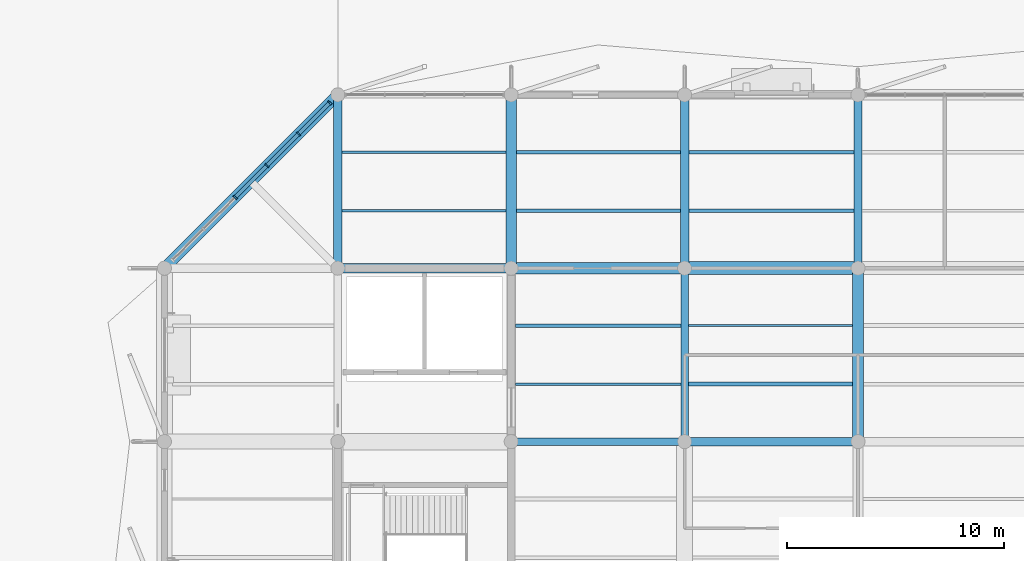
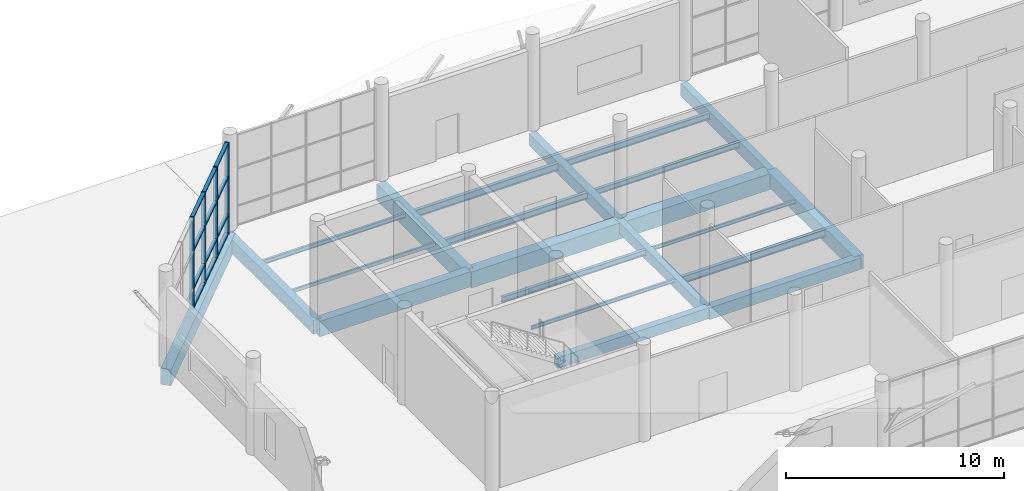
# One storey, part 50 of 123: 22 beams, 16 members, 1 element without a shape of its own.
"""IFC4 building model written with IfcOpenShell, lengths in metres."""

from ifc_helpers import new_model, si_unit, direction, frame, origin, origin_2d, place, context, subcontext, project, spatial, rectangle, hollow_rectangle, i_section, extrude, material, material_profile, profile_set, type_object, element, aggregate, save


model = new_model("IFC4")

# Units and contexts
model_context = context("Model", 3, precision=1e-05, world=origin(), true_north=direction((0.0, 1.0)))
body_context = subcontext(model_context, "Body", "Model", "MODEL_VIEW")
ifc_project = project(units=[si_unit("LENGTHUNIT", "METRE"), si_unit("AREAUNIT", "SQUARE_METRE"), si_unit("VOLUMEUNIT", "CUBIC_METRE"), si_unit("PLANEANGLEUNIT", "RADIAN"), si_unit("MASSUNIT", "GRAM", prefix="KILO")], contexts=[model_context])

# Site, building, storey
site_placement = place(None, origin())
site = spatial("IfcSite", under=ifc_project, at=site_placement, CompositionType="ELEMENT")
building_placement = place(site_placement, origin())
building = spatial("IfcBuilding", under=site, at=building_placement, Name="Tenunan Teduh Sports Hall", CompositionType="ELEMENT")
storey_placement = place(building_placement, origin())
storey = spatial("IfcBuildingStorey", under=building, at=storey_placement, Name="L00", CompositionType="ELEMENT", Elevation=0.0)

# Beams
ifc_material_1 = material(Name="Concrete C40/50", Category="concrete")
ifc_material_profile_1 = material_profile(ifc_material_1, rectangle(XDim=0.35009765625, YDim=0.60009765625, at=origin_2d()), Name="RCB 350x600")
ifc_profile_set_1 = profile_set([ifc_material_profile_1], Name="Concrete C40/50")
beam_type_1 = type_object("IfcBeamType", Name="BM-RC-350x600", PredefinedType="BEAM", material=ifc_profile_set_1)
for number, where, z_axis, x_axis, name in (
    (1, (114.0, 102.0, -0.580078125), (1.0, 0.0, 0.0), (0.0, 1.0, 0.0), "BM-B-04-L00-0727"),
    (2, (122.0, 102.0, -0.580078125), (0.0, 1.0, 0.0), (-1.0, 0.0, 0.0), "BM-B-04-L00-0856"),
):
    element("IfcBeam", number, at=place(storey_placement, frame(where, z_axis=z_axis, x_axis=x_axis)), inside=storey, type_object=beam_type_1, Name=name, PredefinedType="BEAM", context=body_context, shape_type="SweptSolid", body=[
        extrude(rectangle(XDim=0.35009765625, YDim=0.60009765625, at=origin_2d()), origin(), (0.0, 0.0, 1.0), 8.0),
    ])
ifc_material_2 = material(Name="Concrete C40/50", Category="concrete")
ifc_material_profile_2 = material_profile(ifc_material_2, rectangle(XDim=0.39990234375, YDim=0.64990234375, at=origin_2d()), Name="RCB 400x650")
ifc_profile_set_2 = profile_set([ifc_material_profile_2], Name="Concrete C40/50")
beam_type_2 = type_object("IfcBeamType", Name="BM-RC-400x650", PredefinedType="BEAM", material=ifc_profile_set_2)
for number, where, z_axis, x_axis, name in (
    (3, (122.0, 102.0, -0.60498046875), (1.0, 0.0, 0.0), (0.0, 1.0, 0.0), "BM-B-07-L00-0728"),
    (4, (122.0, 110.0, -0.60498046875), (0.0, 1.0, 0.0), (-1.0, 0.0, 0.0), "BM-B-07-L00-0857"),
):
    element("IfcBeam", number, at=place(storey_placement, frame(where, z_axis=z_axis, x_axis=x_axis)), inside=storey, type_object=beam_type_2, Name=name, PredefinedType="BEAM", context=body_context, shape_type="SweptSolid", body=[
        extrude(rectangle(XDim=0.39990234375, YDim=0.64990234375, at=origin_2d()), origin(), (0.0, 0.0, 1.0), 8.0),
    ])
ifc_material_3 = material(Name="Concrete C40/50", Category="concrete")
ifc_material_profile_3 = material_profile(ifc_material_3, rectangle(XDim=0.449951171875, YDim=0.85009765625, at=origin_2d()), Name="RCB 450x850")
ifc_profile_set_3 = profile_set([ifc_material_profile_3], Name="Concrete C40/50")
beam_type_3 = type_object("IfcBeamType", Name="BM-RC-450x850", PredefinedType="BEAM", material=ifc_profile_set_3)
beam_1_placement = place(storey_placement, frame((106.0, 110.0, -0.705078125), z_axis=(1.0, 0.0, 0.0), x_axis=(0.0, 1.0, 0.0)))
element("IfcBeam", 5, at=beam_1_placement, inside=storey, type_object=beam_type_3, Name="BM-B-13-L00-0743", PredefinedType="BEAM", context=body_context, shape_type="SweptSolid", body=[
    extrude(rectangle(XDim=0.449951171875, YDim=0.85009765625, at=origin_2d()), origin(), (0.0, 0.0, 1.0), 8.0),
])
ifc_material_4 = material(Name="Concrete C40/50", Category="concrete")
ifc_material_profile_4 = material_profile(ifc_material_4, rectangle(XDim=0.5, YDim=0.800048828125, at=origin_2d()), Name="RCB 500x800")
ifc_profile_set_4 = profile_set([ifc_material_profile_4], Name="Concrete C40/50")
beam_type_4 = type_object("IfcBeamType", Name="BM-RC-500x800", PredefinedType="BEAM", material=ifc_profile_set_4)
beam_2_placement = place(storey_placement, frame((130.0, 102.0, -0.679931640625), z_axis=(0.0, 1.0, 0.0), x_axis=(-1.0, 0.0, 0.0)))
element("IfcBeam", 6, at=beam_2_placement, inside=storey, type_object=beam_type_4, Name="BM-B-14-L00-0861", PredefinedType="BEAM", context=body_context, shape_type="SweptSolid", body=[
    extrude(rectangle(XDim=0.5, YDim=0.800048828125, at=origin_2d()), origin(), (0.0, 0.0, 1.0), 8.0),
])
ifc_material_5 = material(Name="Concrete C40/50", Category="concrete")
ifc_material_profile_5 = material_profile(ifc_material_5, rectangle(XDim=0.5, YDim=0.89990234375, at=origin_2d()), Name="RCB 500x900")
ifc_profile_set_5 = profile_set([ifc_material_profile_5], Name="Concrete C40/50")
beam_type_5 = type_object("IfcBeamType", Name="BM-RC-500x900", PredefinedType="BEAM", material=ifc_profile_set_5)
beam_3_placement = place(storey_placement, frame((98.0, 110.0, -0.7099609375), z_axis=(0.707106781187, 0.707106781187, 0.0), x_axis=(-0.707106781187, 0.707106781187, 0.0)))
element("IfcBeam", 7, at=beam_3_placement, inside=storey, type_object=beam_type_5, Name="BM-B-15-L00-0596", PredefinedType="BEAM", context=body_context, shape_type="SweptSolid", body=[
    extrude(rectangle(XDim=0.5, YDim=0.89990234375, at=origin_2d()), origin(), (0.0, 0.0, 1.0), 11.313720703125),
])
beam_4_placement = place(storey_placement, frame((114.0, 110.0, -0.72998046875), z_axis=(0.0, 1.0, 0.0), x_axis=(-1.0, 0.0, 0.0)))
element("IfcBeam", 8, at=beam_4_placement, inside=storey, type_object=beam_type_5, Name="BM-B-15-L00-0845", PredefinedType="BEAM", context=body_context, shape_type="SweptSolid", body=[
    extrude(rectangle(XDim=0.5, YDim=0.89990234375, at=origin_2d()), origin(), (0.0, 0.0, 1.0), 8.0),
])
ifc_material_6 = material(Name="Concrete C40/50", Category="concrete")
ifc_material_profile_6 = material_profile(ifc_material_6, rectangle(XDim=0.550048828125, YDim=0.89990234375, at=origin_2d()), Name="RCB 550x900")
ifc_profile_set_6 = profile_set([ifc_material_profile_6], Name="Concrete C40/50")
beam_type_6 = type_object("IfcBeamType", Name="BM-RC-550x900", PredefinedType="BEAM", material=ifc_profile_set_6)
beam_5_placement = place(storey_placement, frame((114.0, 110.0, -0.72998046875), z_axis=(1.0, 0.0, 0.0), x_axis=(0.0, 1.0, 0.0)))
element("IfcBeam", 9, at=beam_5_placement, inside=storey, type_object=beam_type_6, Name="BM-B-16-L00-0744", PredefinedType="BEAM", context=body_context, shape_type="SweptSolid", body=[
    extrude(rectangle(XDim=0.550048828125, YDim=0.89990234375, at=origin_2d()), origin(), (0.0, 0.0, 1.0), 8.0),
])
ifc_material_7 = material(Name="Concrete C40/50", Category="concrete")
ifc_material_profile_7 = material_profile(ifc_material_7, rectangle(XDim=0.60009765625, YDim=0.89990234375, at=origin_2d()), Name="RCB 600x900")
ifc_profile_set_7 = profile_set([ifc_material_profile_7], Name="Concrete C40/50")
beam_type_7 = type_object("IfcBeamType", Name="BM-RC-600x900", PredefinedType="BEAM", material=ifc_profile_set_7)
beam_6_placement = place(storey_placement, frame((122.0, 110.0, -0.72998046875), z_axis=(1.0, 0.0, 0.0), x_axis=(0.0, 1.0, 0.0)))
element("IfcBeam", 10, at=beam_6_placement, inside=storey, type_object=beam_type_7, Name="BM-B-17-L00-0745", PredefinedType="BEAM", context=body_context, shape_type="SweptSolid", body=[
    extrude(rectangle(XDim=0.60009765625, YDim=0.89990234375, at=origin_2d()), origin(), (0.0, 0.0, 1.0), 8.0),
])
ifc_material_8 = material(Name="Concrete C40/50", Category="concrete")
ifc_material_profile_8 = material_profile(ifc_material_8, rectangle(XDim=0.35009765625, YDim=0.719970703125, at=origin_2d()), Name="TB 350x720")
ifc_profile_set_8 = profile_set([ifc_material_profile_8], Name="Concrete C40/50")
beam_type_8 = type_object("IfcBeamType", Name="BM-TB-350x720", PredefinedType="T_BEAM", material=ifc_profile_set_8)
beam_7_placement = place(storey_placement, frame((130.0, 110.0, -0.639892578125), z_axis=(0.0, 1.0, 0.0), x_axis=(-1.0, 0.0, 0.0)))
element("IfcBeam", 11, at=beam_7_placement, inside=storey, type_object=beam_type_8, Name="BM-TB-01-L00-0862", PredefinedType="T_BEAM", context=body_context, shape_type="SweptSolid", body=[
    extrude(rectangle(XDim=0.35009765625, YDim=0.719970703125, at=origin_2d()), origin(), (0.0, 0.0, 1.0), 8.0),
])
ifc_material_9 = material(Name="Concrete C40/50", Category="concrete")
ifc_material_profile_9 = material_profile(ifc_material_9, rectangle(XDim=0.39990234375, YDim=0.780029296875, at=origin_2d()), Name="TB 400x780")
ifc_profile_set_9 = profile_set([ifc_material_profile_9], Name="Concrete C40/50")
beam_type_9 = type_object("IfcBeamType", Name="BM-TB-400x780", PredefinedType="T_BEAM", material=ifc_profile_set_9)
beam_8_placement = place(storey_placement, frame((106.0, 110.0, -0.669921875), z_axis=(0.0, 1.0, 0.0), x_axis=(-1.0, 0.0, 0.0)))
element("IfcBeam", 12, at=beam_8_placement, inside=storey, type_object=beam_type_9, Name="BM-TB-02-L00-0841", PredefinedType="T_BEAM", context=body_context, shape_type="SweptSolid", body=[
    extrude(rectangle(XDim=0.39990234375, YDim=0.780029296875, at=origin_2d()), origin(), (0.0, 0.0, 1.0), 8.0),
])

# Curtain wall, members
ifc_material_10 = material(Name="Anodised aluminium", Category="aluminium")
curtain_wall_type = type_object("IfcCurtainWallType", Name="CW-UNIT-1", PredefinedType="NOTDEFINED", material=ifc_material_10)
curtain_wall_placement = place(storey_placement, origin())
curtain_wall = element("IfcCurtainWall", 13, at=curtain_wall_placement, inside=storey, type_object=curtain_wall_type, Name="CW-CWM-220-L00-241", PredefinedType="NOTDEFINED")
ifc_material_11 = material(Name="Anodised aluminium", Category="aluminium")
ifc_material_profile_10 = material_profile(ifc_material_11, rectangle(XDim=0.074951171875, YDim=0.219970703125, at=origin_2d()), Name="CWM 75x220")
ifc_profile_set_10 = profile_set([ifc_material_profile_10], Name="Anodised aluminium")
member_type_1 = type_object("IfcMemberType", Name="CWM-220", PredefinedType="MULLION", material=ifc_profile_set_10)
member_1_placement = place(storey_placement, frame((101.268310546875, 113.268310546875, 0.0), z_axis=(0.0, 0.0, 1.0), x_axis=(0.707106781187, 0.707106781187, 0.0)))
member_1 = element("IfcMember", 14, at=member_1_placement, type_object=member_type_1, Name="CW-01 mullion 3", PredefinedType="MULLION", context=body_context, shape_type="SweptSolid", body=[
    extrude(rectangle(XDim=0.074951171875, YDim=0.219970703125, at=origin_2d()), origin(), (0.0, 0.0, 1.0), 5.1201171875),
])
member_2_placement = place(storey_placement, frame((102.731689453125, 114.731689453125, 0.0), z_axis=(0.0, 0.0, 1.0), x_axis=(0.707106781187, 0.707106781187, 0.0)))
member_2 = element("IfcMember", 15, at=member_2_placement, type_object=member_type_1, Name="CW-01 mullion 4", PredefinedType="MULLION", context=body_context, shape_type="SweptSolid", body=[
    extrude(rectangle(XDim=0.074951171875, YDim=0.219970703125, at=origin_2d()), origin(), (0.0, 0.0, 1.0), 5.1201171875),
])
member_3_placement = place(storey_placement, frame((104.1953125, 116.1953125, 0.0), z_axis=(0.0, 0.0, 1.0), x_axis=(0.707106781187, 0.707106781187, 0.0)))
member_3 = element("IfcMember", 16, at=member_3_placement, type_object=member_type_1, Name="CW-01 mullion 5", PredefinedType="MULLION", context=body_context, shape_type="SweptSolid", body=[
    extrude(rectangle(XDim=0.074951171875, YDim=0.219970703125, at=origin_2d()), origin(), (0.0, 0.0, 1.0), 5.1201171875),
])
member_4_placement = place(storey_placement, frame((105.632080078125, 117.632080078125, 0.0), z_axis=(0.0, 0.0, 1.0), x_axis=(0.707106781187, 0.707106781187, 0.0)))
member_4 = element("IfcMember", 17, at=member_4_placement, type_object=member_type_1, Name="CW-01 mullion 6", PredefinedType="MULLION", context=body_context, shape_type="SweptSolid", body=[
    extrude(rectangle(XDim=0.074951171875, YDim=0.219970703125, at=origin_2d()), origin(), (0.0, 0.0, 1.0), 5.1201171875),
])
ifc_material_12 = material(Name="Anodised aluminium", Category="aluminium")
ifc_material_profile_11 = material_profile(ifc_material_12, rectangle(XDim=0.074951171875, YDim=0.179931640625, at=origin_2d()), Name="CWT 75x180")
ifc_profile_set_11 = profile_set([ifc_material_profile_11], Name="Anodised aluminium")
member_type_2 = type_object("IfcMemberType", Name="CWT-180", PredefinedType="USERDEFINED", material=ifc_profile_set_11)
member_5_placement = place(storey_placement, frame((101.294677734375, 113.294677734375, 0.03759765625), z_axis=(0.707106781187, 0.707106781187, 0.0), x_axis=(0.0, 0.0, 1.0)))
member_5 = element("IfcMember", 18, at=member_5_placement, type_object=member_type_2, Name="CW-01 transom 3.1", ObjectType="TRANSOM", PredefinedType="USERDEFINED", context=body_context, shape_type="SweptSolid", body=[
    extrude(rectangle(XDim=0.074951171875, YDim=0.179931640625, at=origin_2d()), origin(), (0.0, 0.0, 1.0), 1.994873046875),
])
member_6_placement = place(storey_placement, frame((101.294677734375, 113.294677734375, 1.10009765625), z_axis=(0.707106781187, 0.707106781187, 0.0), x_axis=(0.0, 0.0, 1.0)))
member_6 = element("IfcMember", 19, at=member_6_placement, type_object=member_type_2, Name="CW-01 transom 3.2", ObjectType="TRANSOM", PredefinedType="USERDEFINED", context=body_context, shape_type="SweptSolid", body=[
    extrude(rectangle(XDim=0.074951171875, YDim=0.179931640625, at=origin_2d()), origin(), (0.0, 0.0, 1.0), 1.994873046875),
])
member_7_placement = place(storey_placement, frame((101.294677734375, 113.294677734375, 3.199951171875), z_axis=(0.707106781187, 0.707106781187, 0.0), x_axis=(0.0, 0.0, 1.0)))
member_7 = element("IfcMember", 20, at=member_7_placement, type_object=member_type_2, Name="CW-01 transom 3.3", ObjectType="TRANSOM", PredefinedType="USERDEFINED", context=body_context, shape_type="SweptSolid", body=[
    extrude(rectangle(XDim=0.074951171875, YDim=0.179931640625, at=origin_2d()), origin(), (0.0, 0.0, 1.0), 1.994873046875),
])
member_8_placement = place(storey_placement, frame((101.294677734375, 113.294677734375, 5.08251953125), z_axis=(0.707106781187, 0.707106781187, 0.0), x_axis=(0.0, 0.0, 1.0)))
member_8 = element("IfcMember", 21, at=member_8_placement, type_object=member_type_2, Name="CW-01 transom 3.4", ObjectType="TRANSOM", PredefinedType="USERDEFINED", context=body_context, shape_type="SweptSolid", body=[
    extrude(rectangle(XDim=0.074951171875, YDim=0.179931640625, at=origin_2d()), origin(), (0.0, 0.0, 1.0), 1.994873046875),
])
member_9_placement = place(storey_placement, frame((102.75830078125, 114.75830078125, 0.03759765625), z_axis=(0.707106781187, 0.707106781187, 0.0), x_axis=(0.0, 0.0, 1.0)))
member_9 = element("IfcMember", 22, at=member_9_placement, type_object=member_type_2, Name="CW-01 transom 4.1", ObjectType="TRANSOM", PredefinedType="USERDEFINED", context=body_context, shape_type="SweptSolid", body=[
    extrude(rectangle(XDim=0.074951171875, YDim=0.179931640625, at=origin_2d()), origin(), (0.0, 0.0, 1.0), 1.99462890625),
])
member_10_placement = place(storey_placement, frame((102.75830078125, 114.75830078125, 1.10009765625), z_axis=(0.707106781187, 0.707106781187, 0.0), x_axis=(0.0, 0.0, 1.0)))
member_10 = element("IfcMember", 23, at=member_10_placement, type_object=member_type_2, Name="CW-01 transom 4.2", ObjectType="TRANSOM", PredefinedType="USERDEFINED", context=body_context, shape_type="SweptSolid", body=[
    extrude(rectangle(XDim=0.074951171875, YDim=0.179931640625, at=origin_2d()), origin(), (0.0, 0.0, 1.0), 1.99462890625),
])
member_11_placement = place(storey_placement, frame((102.75830078125, 114.75830078125, 3.199951171875), z_axis=(0.707106781187, 0.707106781187, 0.0), x_axis=(0.0, 0.0, 1.0)))
member_11 = element("IfcMember", 24, at=member_11_placement, type_object=member_type_2, Name="CW-01 transom 4.3", ObjectType="TRANSOM", PredefinedType="USERDEFINED", context=body_context, shape_type="SweptSolid", body=[
    extrude(rectangle(XDim=0.074951171875, YDim=0.179931640625, at=origin_2d()), origin(), (0.0, 0.0, 1.0), 1.99462890625),
])
member_12_placement = place(storey_placement, frame((102.75830078125, 114.75830078125, 5.08251953125), z_axis=(0.707106781187, 0.707106781187, 0.0), x_axis=(0.0, 0.0, 1.0)))
member_12 = element("IfcMember", 25, at=member_12_placement, type_object=member_type_2, Name="CW-01 transom 4.4", ObjectType="TRANSOM", PredefinedType="USERDEFINED", context=body_context, shape_type="SweptSolid", body=[
    extrude(rectangle(XDim=0.074951171875, YDim=0.179931640625, at=origin_2d()), origin(), (0.0, 0.0, 1.0), 1.99462890625),
])
member_13_placement = place(storey_placement, frame((104.2216796875, 116.2216796875, 0.03759765625), z_axis=(0.707106781187, 0.707106781187, 0.0), x_axis=(0.0, 0.0, 1.0)))
member_13 = element("IfcMember", 26, at=member_13_placement, type_object=member_type_2, Name="CW-01 transom 5.1", ObjectType="TRANSOM", PredefinedType="USERDEFINED", context=body_context, shape_type="SweptSolid", body=[
    extrude(rectangle(XDim=0.074951171875, YDim=0.179931640625, at=origin_2d()), origin(), (0.0, 0.0, 1.0), 1.957275390625),
])
member_14_placement = place(storey_placement, frame((104.2216796875, 116.2216796875, 1.10009765625), z_axis=(0.707106781187, 0.707106781187, 0.0), x_axis=(0.0, 0.0, 1.0)))
member_14 = element("IfcMember", 27, at=member_14_placement, type_object=member_type_2, Name="CW-01 transom 5.2", ObjectType="TRANSOM", PredefinedType="USERDEFINED", context=body_context, shape_type="SweptSolid", body=[
    extrude(rectangle(XDim=0.074951171875, YDim=0.179931640625, at=origin_2d()), origin(), (0.0, 0.0, 1.0), 1.957275390625),
])
member_15_placement = place(storey_placement, frame((104.2216796875, 116.2216796875, 3.199951171875), z_axis=(0.707106781187, 0.707106781187, 0.0), x_axis=(0.0, 0.0, 1.0)))
member_15 = element("IfcMember", 28, at=member_15_placement, type_object=member_type_2, Name="CW-01 transom 5.3", ObjectType="TRANSOM", PredefinedType="USERDEFINED", context=body_context, shape_type="SweptSolid", body=[
    extrude(rectangle(XDim=0.074951171875, YDim=0.179931640625, at=origin_2d()), origin(), (0.0, 0.0, 1.0), 1.957275390625),
])
member_16_placement = place(storey_placement, frame((104.2216796875, 116.2216796875, 5.08251953125), z_axis=(0.707106781187, 0.707106781187, 0.0), x_axis=(0.0, 0.0, 1.0)))
member_16 = element("IfcMember", 29, at=member_16_placement, type_object=member_type_2, Name="CW-01 transom 5.4", ObjectType="TRANSOM", PredefinedType="USERDEFINED", context=body_context, shape_type="SweptSolid", body=[
    extrude(rectangle(XDim=0.074951171875, YDim=0.179931640625, at=origin_2d()), origin(), (0.0, 0.0, 1.0), 1.957275390625),
])
aggregate(curtain_wall, [member_1, member_2, member_3, member_4, member_5, member_6, member_7, member_8, member_9, member_10, member_11, member_12, member_13, member_14, member_15, member_16])

# Beams
ifc_material_13 = material(Name="Steel S355", Category="steel")
ifc_material_profile_12 = material_profile(ifc_material_13, i_section(OverallWidth=0.10009765625, OverallDepth=0.199951171875, WebThickness=0.005615234375, FlangeThickness=0.008544921875, FilletRadius=0.011962890625, at=origin_2d()), Name="IPE 200")
ifc_profile_set_12 = profile_set([ifc_material_profile_12], Name="Steel S355")
beam_type_10 = type_object("IfcBeamType", Name="JST-IPE200", PredefinedType="JOIST", material=ifc_profile_set_12)
beam_9_placement = place(storey_placement, frame((114.199951171875, 104.64990234375, -0.3798828125), z_axis=(1.0, 0.0, 0.0), x_axis=(0.0, 1.0, 0.0)))
element("IfcBeam", 30, at=beam_9_placement, inside=storey, type_object=beam_type_10, Name="BM-J-01-L00-0996", PredefinedType="JOIST", context=body_context, shape_type="SweptSolid", body=[
    extrude(i_section(OverallWidth=0.10009765625, OverallDepth=0.199951171875, WebThickness=0.005615234375, FlangeThickness=0.008544921875, FilletRadius=0.011962890625, at=origin_2d()), origin(), (0.0, 0.0, 1.0), 7.625),
])
beam_10_placement = place(storey_placement, frame((122.175048828125, 107.35009765625, -0.3798828125), z_axis=(1.0, 0.0, 0.0), x_axis=(0.0, 1.0, 0.0)))
element("IfcBeam", 31, at=beam_10_placement, inside=storey, type_object=beam_type_10, Name="BM-J-01-L00-1007", PredefinedType="JOIST", context=body_context, shape_type="SweptSolid", body=[
    extrude(i_section(OverallWidth=0.10009765625, OverallDepth=0.199951171875, WebThickness=0.005615234375, FlangeThickness=0.008544921875, FilletRadius=0.011962890625, at=origin_2d()), origin(), (0.0, 0.0, 1.0), 7.574951171875),
])
ifc_material_14 = material(Name="Steel S355", Category="steel")
ifc_material_profile_13 = material_profile(ifc_material_14, i_section(OverallWidth=0.1201171875, OverallDepth=0.239990234375, WebThickness=0.006103515625, FlangeThickness=0.009765625, FilletRadius=0.014892578125, at=origin_2d()), Name="IPE 240")
ifc_profile_set_13 = profile_set([ifc_material_profile_13], Name="Steel S355")
beam_type_11 = type_object("IfcBeamType", Name="JST-IPE240", PredefinedType="JOIST", material=ifc_profile_set_13)
beam_11_placement = place(storey_placement, frame((106.199951171875, 115.35009765625, -0.39990234375), z_axis=(1.0, 0.0, 0.0), x_axis=(0.0, 1.0, 0.0)))
element("IfcBeam", 32, at=beam_11_placement, inside=storey, type_object=beam_type_11, Name="BM-J-02-L00-0991", PredefinedType="JOIST", context=body_context, shape_type="SweptSolid", body=[
    extrude(i_section(OverallWidth=0.1201171875, OverallDepth=0.239990234375, WebThickness=0.006103515625, FlangeThickness=0.009765625, FilletRadius=0.014892578125, at=origin_2d()), origin(), (0.0, 0.0, 1.0), 7.550048828125),
])
ifc_material_15 = material(Name="Steel S355", Category="steel")
ifc_material_profile_14 = material_profile(ifc_material_15, i_section(OverallWidth=0.179931640625, OverallDepth=0.39990234375, WebThickness=0.008544921875, FlangeThickness=0.013427734375, FilletRadius=0.02099609375, at=origin_2d()), Name="IPE 400")
ifc_profile_set_14 = profile_set([ifc_material_profile_14], Name="Steel S355")
beam_type_12 = type_object("IfcBeamType", Name="JST-IPE400", PredefinedType="JOIST", material=ifc_profile_set_14)
beam_12_placement = place(storey_placement, frame((122.175048828125, 104.64990234375, -0.47998046875), z_axis=(1.0, 0.0, 0.0), x_axis=(0.0, 1.0, 0.0)))
element("IfcBeam", 33, at=beam_12_placement, inside=storey, type_object=beam_type_12, Name="BM-J-06-L00-1006", PredefinedType="JOIST", context=body_context, shape_type="SweptSolid", body=[
    extrude(i_section(OverallWidth=0.179931640625, OverallDepth=0.39990234375, WebThickness=0.008544921875, FlangeThickness=0.013427734375, FilletRadius=0.02099609375, at=origin_2d()), origin(), (0.0, 0.0, 1.0), 7.574951171875),
])
ifc_material_16 = material(Name="Steel S355", Category="steel")
ifc_material_profile_15 = material_profile(ifc_material_16, hollow_rectangle(XDim=0.10009765625, YDim=0.199951171875, WallThickness=0.008056640625, at=origin_2d()), Name="RHS 200x100x8.0")
ifc_profile_set_15 = profile_set([ifc_material_profile_15], Name="Steel S355")
beam_type_13 = type_object("IfcBeamType", Name="RBM-RHS200", PredefinedType="JOIST", material=ifc_profile_set_15)
beam_13_placement = place(storey_placement, frame((106.199951171875, 112.64990234375, -0.3798828125), z_axis=(1.0, 0.0, 0.0), x_axis=(0.0, 1.0, 0.0)))
element("IfcBeam", 34, at=beam_13_placement, inside=storey, type_object=beam_type_13, Name="Perimeter Ring Beam BM-RB-05-L00-0990", PredefinedType="JOIST", context=body_context, shape_type="SweptSolid", body=[
    extrude(hollow_rectangle(XDim=0.10009765625, YDim=0.199951171875, WallThickness=0.008056640625, at=origin_2d()), origin(), (0.0, 0.0, 1.0), 7.550048828125),
])
ifc_material_17 = material(Name="Steel S355", Category="steel")
ifc_material_profile_16 = material_profile(ifc_material_17, i_section(OverallWidth=0.1650390625, OverallDepth=0.303466796875, WebThickness=0.006103515625, FlangeThickness=0.01025390625, FilletRadius=0.0087890625, at=origin_2d()), Name="UKB 305x165x40")
ifc_profile_set_16 = profile_set([ifc_material_profile_16], Name="Steel S355")
beam_type_14 = type_object("IfcBeamType", Name="SBM-UKB305", PredefinedType="BEAM", material=ifc_profile_set_16)
for number, where, z_axis, x_axis, name in (
    (35, (114.199951171875, 107.35009765625, -0.431640625), (1.0, 0.0, 0.0), (0.0, 1.0, 0.0), "BM-SB-01-L00-0997"),
    (36, (122.199951171875, 112.64990234375, -0.431640625), (1.0, 0.0, 0.0), (0.0, 1.0, 0.0), "BM-SB-01-L00-1008"),
):
    element("IfcBeam", number, at=place(storey_placement, frame(where, z_axis=z_axis, x_axis=x_axis)), inside=storey, type_object=beam_type_14, Name=name, PredefinedType="BEAM", context=body_context, shape_type="SweptSolid", body=[
        extrude(i_section(OverallWidth=0.1650390625, OverallDepth=0.303466796875, WebThickness=0.006103515625, FlangeThickness=0.01025390625, FilletRadius=0.0087890625, at=origin_2d()), origin(), (0.0, 0.0, 1.0), 7.625),
    ])
ifc_material_18 = material(Name="Steel S355", Category="steel")
ifc_material_profile_17 = material_profile(ifc_material_18, i_section(OverallWidth=0.17138671875, OverallDepth=0.35498046875, WebThickness=0.00732421875, FlangeThickness=0.011474609375, FilletRadius=0.01025390625, at=origin_2d()), Name="UKB 356x171x51")
ifc_profile_set_17 = profile_set([ifc_material_profile_17], Name="Steel S355")
beam_type_15 = type_object("IfcBeamType", Name="SBM-UKB356", PredefinedType="BEAM", material=ifc_profile_set_17)
beam_14_placement = place(storey_placement, frame((114.25, 112.64990234375, -0.45751953125), z_axis=(1.0, 0.0, 0.0), x_axis=(0.0, 1.0, 0.0)))
element("IfcBeam", 37, at=beam_14_placement, inside=storey, type_object=beam_type_15, Name="BM-SB-02-L00-0998", PredefinedType="BEAM", context=body_context, shape_type="SweptSolid", body=[
    extrude(i_section(OverallWidth=0.17138671875, OverallDepth=0.35498046875, WebThickness=0.00732421875, FlangeThickness=0.011474609375, FilletRadius=0.01025390625, at=origin_2d()), origin(), (0.0, 0.0, 1.0), 7.550048828125),
])
beam_15_placement = place(storey_placement, frame((122.199951171875, 115.35009765625, -0.45751953125), z_axis=(1.0, 0.0, 0.0), x_axis=(0.0, 1.0, 0.0)))
element("IfcBeam", 38, at=beam_15_placement, inside=storey, type_object=beam_type_15, Name="BM-SB-02-L00-1009", PredefinedType="BEAM", context=body_context, shape_type="SweptSolid", body=[
    extrude(i_section(OverallWidth=0.17138671875, OverallDepth=0.35498046875, WebThickness=0.00732421875, FlangeThickness=0.011474609375, FilletRadius=0.01025390625, at=origin_2d()), origin(), (0.0, 0.0, 1.0), 7.625),
])
ifc_material_19 = material(Name="Steel S355", Category="steel")
ifc_material_profile_18 = material_profile(ifc_material_19, i_section(OverallWidth=0.177978515625, OverallDepth=0.406494140625, WebThickness=0.0078125, FlangeThickness=0.0126953125, FilletRadius=0.01025390625, at=origin_2d()), Name="UKB 406x178x60")
ifc_profile_set_18 = profile_set([ifc_material_profile_18], Name="Steel S355")
beam_type_16 = type_object("IfcBeamType", Name="SBM-UKB406", PredefinedType="BEAM", material=ifc_profile_set_18)
beam_16_placement = place(storey_placement, frame((114.25, 115.35009765625, -0.483154296875), z_axis=(1.0, 0.0, 0.0), x_axis=(0.0, 1.0, 0.0)))
element("IfcBeam", 39, at=beam_16_placement, inside=storey, type_object=beam_type_16, Name="BM-SB-03-L00-0999", PredefinedType="BEAM", context=body_context, shape_type="SweptSolid", body=[
    extrude(i_section(OverallWidth=0.177978515625, OverallDepth=0.406494140625, WebThickness=0.0078125, FlangeThickness=0.0126953125, FilletRadius=0.01025390625, at=origin_2d()), origin(), (0.0, 0.0, 1.0), 7.550048828125),
])

save(model, "model.ifc")
